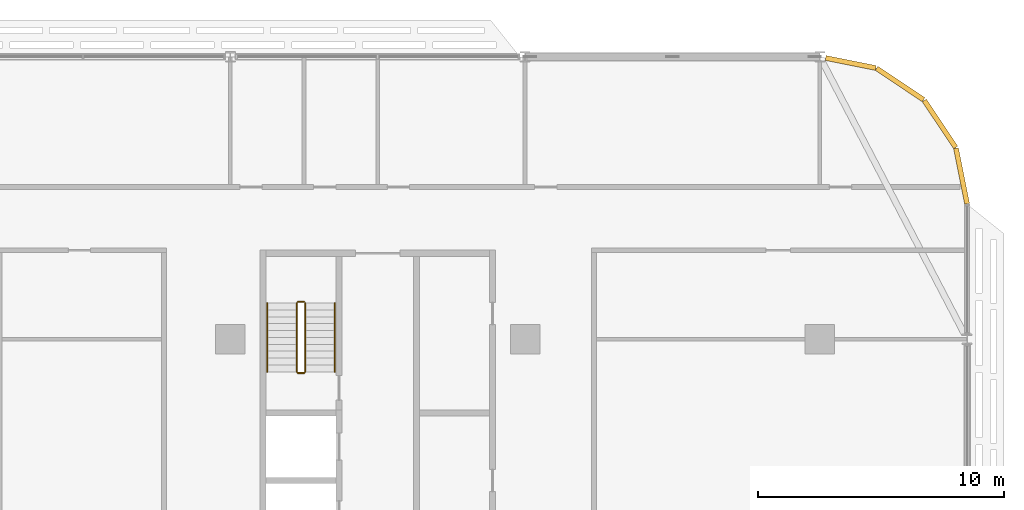
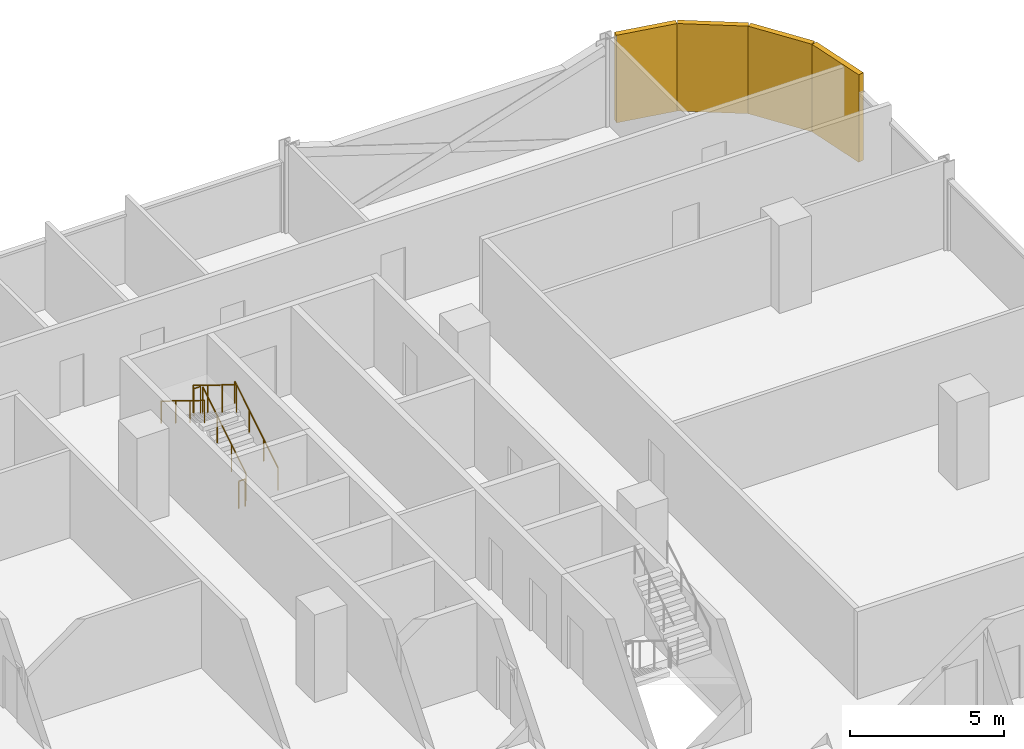
# One storey, part 27 of 27: 6 railings, 4 coverings.
"""IFC4 building model written with IfcOpenShell, lengths in metres."""

from ifc_helpers import new_model, si_unit, direction, frame, origin, origin_2d, place, context, subcontext, project, spatial, rectangle, circle, extrude, material, layer, layer_set, type_object, element, save


model = new_model("IFC4")

# Units and contexts
model_context = context("Model", 3, precision=1e-05, world=origin(), true_north=direction((0.0, 1.0)))
body_context = subcontext(model_context, "Body", "Model", "MODEL_VIEW")
ifc_project = project(units=[si_unit("LENGTHUNIT", "METRE"), si_unit("AREAUNIT", "SQUARE_METRE"), si_unit("VOLUMEUNIT", "CUBIC_METRE"), si_unit("PLANEANGLEUNIT", "RADIAN"), si_unit("MASSUNIT", "GRAM", prefix="KILO")], contexts=[model_context])

# Site, building, storey
site_placement = place(None, origin())
site = spatial("IfcSite", under=ifc_project, at=site_placement, CompositionType="ELEMENT")
building_placement = place(site_placement, origin())
building = spatial("IfcBuilding", under=site, at=building_placement, Name="Mahtab Terrace Research Tower", CompositionType="ELEMENT")
storey_placement = place(building_placement, frame((0.0, 0.0, 166.800048828125)))
storey = spatial("IfcBuildingStorey", under=building, at=storey_placement, Name="L39", CompositionType="ELEMENT", Elevation=166.800048828125)

# Coverings
ifc_material_1 = material(Name="Black aluminium cladding panel", Category="aluminium")
ifc_layer = layer(ifc_material_1, 0.199951171875)
ifc_layer_set = layer_set([ifc_layer], Name="Black metal corner cladding 200")
covering_type = type_object("IfcCoveringType", Name="Black metal corner cladding 200", PredefinedType="CLADDING", material=ifc_layer_set)
for number, where, z_axis, x_axis, name in (
    (1, (46.89306640625, 20.26953125, 0.0), (0.0, 0.0, 1.0), (-0.555291490808, 0.831655794326, 0.0), "Corner cladding L39 0"),
    (2, (45.26953125, 21.89306640625, 0.0), (0.0, 0.0, 1.0), (-0.831655794326, 0.555291490808, 0.0), "Corner cladding L39 1"),
):
    element("IfcCovering", number, at=place(storey_placement, frame(where, z_axis=z_axis, x_axis=x_axis)), inside=storey, type_object=covering_type, Name=name, PredefinedType="CLADDING", context=body_context, shape_type="SweptSolid", body=[
        extrude(rectangle(XDim=2.30126953125, YDim=0.199951171875, at=origin_2d()), origin(), (0.0, 0.0, 1.0), 3.4599609375),
    ])
covering_1_placement = place(storey_placement, frame((43.25830078125, 22.74951171875, 0.0), z_axis=(0.0, 0.0, 1.0), x_axis=(-0.980760981187, 0.195212442692, 0.0)))
element("IfcCovering", 3, at=covering_1_placement, inside=storey, type_object=covering_type, Name="Corner cladding L39 2", PredefinedType="CLADDING", context=body_context, shape_type="SweptSolid", body=[
    extrude(rectangle(XDim=2.07666015625, YDim=0.199951171875, at=origin_2d()), origin(), (0.0, 0.0, 1.0), 3.4599609375),
])
covering_2_placement = place(storey_placement, frame((47.771484375, 18.14794921875, 0.0), z_axis=(0.0, 0.0, 1.0), x_axis=(-0.195212442692, 0.980760981187, 0.0)))
element("IfcCovering", 4, at=covering_2_placement, inside=storey, type_object=covering_type, Name="Corner cladding L39 38", PredefinedType="CLADDING", context=body_context, shape_type="SweptSolid", body=[
    extrude(rectangle(XDim=2.30126953125, YDim=0.199951171875, at=origin_2d()), origin(), (0.0, 0.0, 1.0), 3.4599609375),
])

# Railings
ifc_material_2 = material(Name="Stainless steel AISI 304", Category="steel")
railing_type_1 = type_object("IfcRailingType", Name="Stair guard 1100", PredefinedType="GUARDRAIL", material=ifc_material_2)
railing_1_placement = place(storey_placement, frame((21.050048828125, 10.175048828125, 0.172607421875)))
element("IfcRailing", 5, at=railing_1_placement, inside=storey, type_object=railing_type_1, Name="L39 ST3 stair guard 1", PredefinedType="GUARDRAIL", context=body_context, shape_type="SweptSolid", body=[
    extrude(circle(Radius=0.02392578125, at=origin_2d()), frame((0.0, 0.0, 1.076171875), z_axis=(0.0, 0.851089632645, 0.525020415988), x_axis=(-1.0, 0.0, 0.0)), (0.0, 0.0, 1.0), 3.2900390625),
    extrude(circle(Radius=0.02099609375, at=origin_2d()), origin(), (0.0, 0.0, 1.0), 1.052001953125),
    extrude(circle(Radius=0.02099609375, at=origin_2d()), frame((0.0, 0.933349609375, 0.57568359375)), (0.0, 0.0, 1.0), 1.052001953125),
    extrude(circle(Radius=0.02099609375, at=origin_2d()), frame((0.0, 1.86669921875, 1.151611328125)), (0.0, 0.0, 1.0), 1.052001953125),
    extrude(circle(Radius=0.02099609375, at=origin_2d()), frame((0.0, 2.800048828125, 1.727294921875)), (0.0, 0.0, 1.0), 1.052001953125),
])
railing_2_placement = place(storey_placement, frame((21.0, 13.02490234375, 1.89990234375)))
element("IfcRailing", 6, at=railing_2_placement, inside=storey, type_object=railing_type_1, Name="L39 ST3 stair guard 2", PredefinedType="GUARDRAIL", context=body_context, shape_type="SweptSolid", body=[
    extrude(circle(Radius=0.02392578125, at=origin_2d()), frame((0.0, 0.0, 1.076171875), z_axis=(-1.0, 0.0, 0.0), x_axis=(0.0, -1.0, 0.0)), (0.0, 0.0, 1.0), 0.25),
    extrude(circle(Radius=0.02099609375, at=origin_2d()), origin(), (0.0, 0.0, 1.0), 1.052001953125),
    extrude(circle(Radius=0.02099609375, at=origin_2d()), frame((-0.25, 0.0, 0.0)), (0.0, 0.0, 1.0), 1.052001953125),
])
railing_3_placement = place(storey_placement, frame((20.699951171875, 12.97509765625, 2.07275390625)))
element("IfcRailing", 7, at=railing_3_placement, inside=storey, type_object=railing_type_1, Name="L39 ST3 stair guard 3", PredefinedType="GUARDRAIL", context=body_context, shape_type="SweptSolid", body=[
    extrude(circle(Radius=0.02392578125, at=origin_2d()), frame((0.0, 0.0, 1.076171875), z_axis=(0.0, -0.851089632645, 0.525020415988), x_axis=(1.0, 0.0, 0.0)), (0.0, 0.0, 1.0), 3.2900390625),
    extrude(circle(Radius=0.02099609375, at=origin_2d()), origin(), (0.0, 0.0, 1.0), 1.052001953125),
    extrude(circle(Radius=0.02099609375, at=origin_2d()), frame((0.0, -0.933349609375, 0.57568359375)), (0.0, 0.0, 1.0), 1.052001953125),
    extrude(circle(Radius=0.02099609375, at=origin_2d()), frame((0.0, -1.86669921875, 1.151611328125)), (0.0, 0.0, 1.0), 1.052001953125),
    extrude(circle(Radius=0.02099609375, at=origin_2d()), frame((0.0, -2.800048828125, 1.727294921875)), (0.0, 0.0, 1.0), 1.052001953125),
])
railing_4_placement = place(storey_placement, frame((21.0, 10.125, 0.0)))
element("IfcRailing", 8, at=railing_4_placement, inside=storey, type_object=railing_type_1, Name="L39 ST3 stair guard 4", PredefinedType="GUARDRAIL", context=body_context, shape_type="SweptSolid", body=[
    extrude(circle(Radius=0.02392578125, at=origin_2d()), frame((0.0, 0.0, 1.076171875), z_axis=(-1.0, 0.0, 0.0), x_axis=(0.0, -1.0, 0.0)), (0.0, 0.0, 1.0), 0.25),
    extrude(circle(Radius=0.02099609375, at=origin_2d()), origin(), (0.0, 0.0, 1.0), 1.052001953125),
    extrude(circle(Radius=0.02099609375, at=origin_2d()), frame((-0.25, 0.0, 0.0)), (0.0, 0.0, 1.0), 1.052001953125),
])
railing_type_2 = type_object("IfcRailingType", Name="Stair handrail 900", PredefinedType="HANDRAIL", material=ifc_material_2)
railing_5_placement = place(storey_placement, frame((22.25, 10.175048828125, 0.172607421875)))
element("IfcRailing", 9, at=railing_5_placement, inside=storey, type_object=railing_type_2, Name="L39 ST3 stair handrail 1", PredefinedType="HANDRAIL", context=body_context, shape_type="SweptSolid", body=[
    extrude(circle(Radius=0.02392578125, at=origin_2d()), frame((0.0, 0.0, 0.8759765625), z_axis=(0.0, 0.851089632645, 0.525020415988), x_axis=(-1.0, 0.0, 0.0)), (0.0, 0.0, 1.0), 3.2900390625),
    extrude(circle(Radius=0.02099609375, at=origin_2d()), origin(), (0.0, 0.0, 1.0), 0.851806640625),
    extrude(circle(Radius=0.02099609375, at=origin_2d()), frame((0.0, 0.933349609375, 0.57568359375)), (0.0, 0.0, 1.0), 0.851806640625),
    extrude(circle(Radius=0.02099609375, at=origin_2d()), frame((0.0, 1.86669921875, 1.151611328125)), (0.0, 0.0, 1.0), 0.851806640625),
    extrude(circle(Radius=0.02099609375, at=origin_2d()), frame((0.0, 2.800048828125, 1.727294921875)), (0.0, 0.0, 1.0), 0.851806640625),
])
railing_6_placement = place(storey_placement, frame((19.5, 12.97509765625, 2.07275390625)))
element("IfcRailing", 10, at=railing_6_placement, inside=storey, type_object=railing_type_2, Name="L39 ST3 stair handrail 2", PredefinedType="HANDRAIL", context=body_context, shape_type="SweptSolid", body=[
    extrude(circle(Radius=0.02392578125, at=origin_2d()), frame((0.0, 0.0, 0.8759765625), z_axis=(0.0, -0.851089632645, 0.525020415988), x_axis=(1.0, 0.0, 0.0)), (0.0, 0.0, 1.0), 3.2900390625),
    extrude(circle(Radius=0.02099609375, at=origin_2d()), origin(), (0.0, 0.0, 1.0), 0.851806640625),
    extrude(circle(Radius=0.02099609375, at=origin_2d()), frame((0.0, -0.933349609375, 0.57568359375)), (0.0, 0.0, 1.0), 0.851806640625),
    extrude(circle(Radius=0.02099609375, at=origin_2d()), frame((0.0, -1.86669921875, 1.151611328125)), (0.0, 0.0, 1.0), 0.851806640625),
    extrude(circle(Radius=0.02099609375, at=origin_2d()), frame((0.0, -2.800048828125, 1.727294921875)), (0.0, 0.0, 1.0), 0.851806640625),
])

save(model, "model.ifc")
